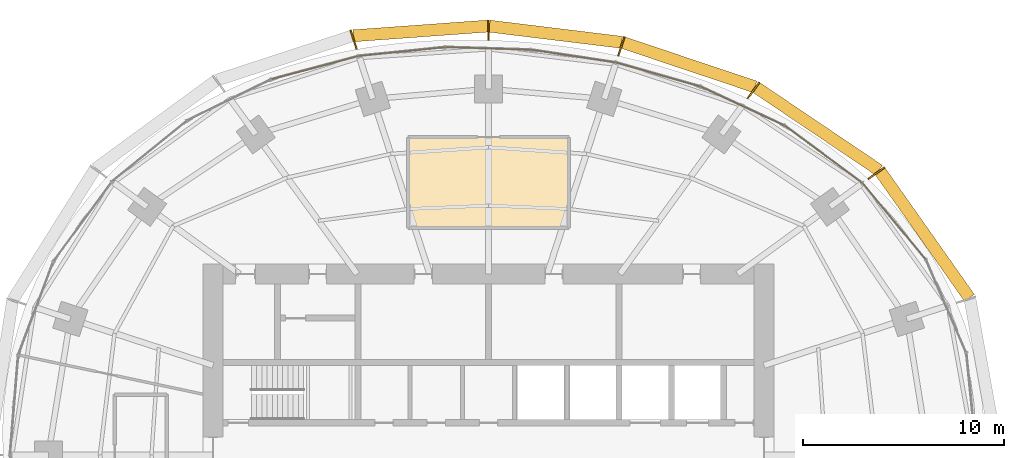
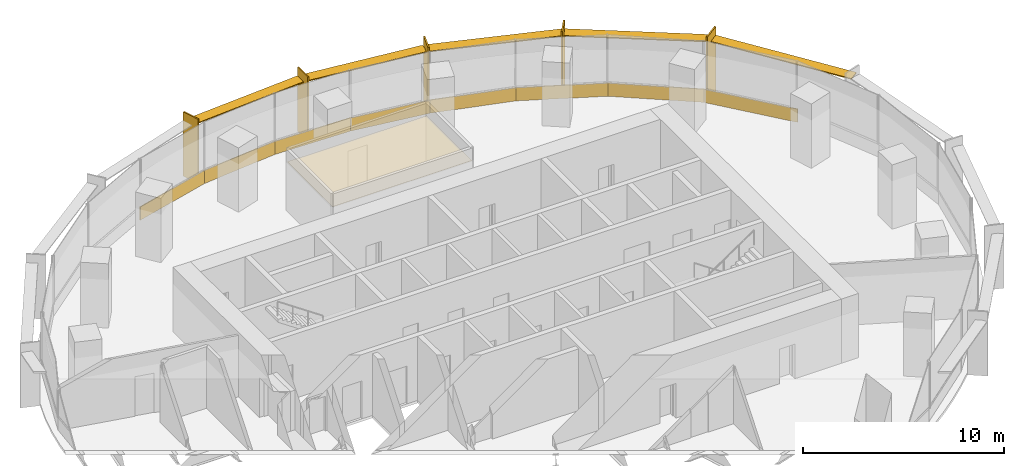
# One storey, part 14 of 14: 10 shading devices, 9 coverings.
"""IFC4 building model written with IfcOpenShell, lengths in metres."""

from ifc_helpers import new_model, si_unit, direction, frame, origin, origin_2d, place, context, subcontext, project, spatial, polyline, rectangle, outline, extrude, material, layer, layer_set, type_object, element, save


model = new_model("IFC4")

# Units and contexts
model_context = context("Model", 3, precision=1e-05, world=origin(), true_north=direction((0.0, 1.0)))
body_context = subcontext(model_context, "Body", "Model", "MODEL_VIEW")
ifc_project = project(units=[si_unit("LENGTHUNIT", "METRE"), si_unit("AREAUNIT", "SQUARE_METRE"), si_unit("VOLUMEUNIT", "CUBIC_METRE"), si_unit("PLANEANGLEUNIT", "RADIAN"), si_unit("MASSUNIT", "GRAM", prefix="KILO")], contexts=[model_context])

# Site, building, storey
site_placement = place(None, origin())
site = spatial("IfcSite", under=ifc_project, at=site_placement, CompositionType="ELEMENT")
building_placement = place(site_placement, origin())
building = spatial("IfcBuilding", under=site, at=building_placement, Name="Marramba Exchange Tower", CompositionType="ELEMENT")
storey_placement = place(building_placement, frame((0.0, 0.0, 222.800048828125)))
storey = spatial("IfcBuildingStorey", under=building, at=storey_placement, Name="L54", CompositionType="ELEMENT", Elevation=222.800048828125)

# Shading devices
ifc_material_1 = material(Name="Aluminium blade, timber-look bronze finish", Category="wood")
ifc_layer_1 = layer(ifc_material_1, 0.080078125)
ifc_layer_set_1 = layer_set([ifc_layer_1], Name="Floor-edge blade 1000x80")
shading_device_type_1 = type_object("IfcShadingDeviceType", Name="Floor-edge blade 1000x80", PredefinedType="USERDEFINED", material=ifc_layer_set_1)
for number, where, z_axis, x_axis, name in (
    (1, (19.298828125, 14.021484375, -0.159912109375), (0.0, 0.0, 1.0), (0.809016994375, 0.587785252292, 0.0), "Floor-edge blade FB1 L54 TC03"),
    (2, (13.176513671875, 18.135986328125, -0.159912109375), (0.0, 0.0, 1.0), (0.587785252292, 0.809016994375, 0.0), "Floor-edge blade FB1 L54 TC04"),
    (3, (6.605712890625, 20.330078125, -0.159912109375), (0.0, 0.0, 1.0), (0.309016994375, 0.951056516295, 0.0), "Floor-edge blade FB1 L54 TC05"),
    (4, (0.0, 21.13623046875, -0.159912109375), (0.0, 0.0, 1.0), (0.0, 1.0, 0.0), "Floor-edge blade FB1 L54 TC06"),
    (5, (-6.7119140625, 20.657470703125, -0.159912109375), (0.0, 0.0, 1.0), (-0.309016994375, 0.951056516295, 0.0), "Floor-edge blade FB1 L54 TC07"),
):
    element("IfcShadingDevice", number, at=place(storey_placement, frame(where, z_axis=z_axis, x_axis=x_axis)), inside=storey, type_object=shading_device_type_1, Name=name, ObjectType="FIN", PredefinedType="USERDEFINED", context=body_context, shape_type="SweptSolid", body=[
        extrude(rectangle(XDim=1.0, YDim=0.080078125, at=origin_2d()), origin(), (0.0, 0.0, 1.0), 3.89990234375),
    ])
ifc_material_2 = material(Name="Aluminium sunshade, bronze anodised", Category="aluminium")
ifc_layer_2 = layer(ifc_material_2, 0.06005859375)
ifc_layer_set_2 = layer_set([ifc_layer_2], Name="SUNSHADE blade 600x60")
shading_device_type_2 = type_object("IfcShadingDeviceType", Name="SUNSHADE blade 600x60", PredefinedType="USERDEFINED", material=ifc_layer_set_2)
shading_device_1_placement = place(storey_placement, frame((21.703857421875, 10.9599609375, 3.159912109375), z_axis=(0.0, 0.0, 1.0), x_axis=(-0.576555118613, 0.81705825692, 0.0)))
element("IfcShadingDevice", 6, at=shading_device_1_placement, inside=storey, type_object=shading_device_type_2, Name="Sunshade SS1 L54 bay 02", ObjectType="SUNSHADE", PredefinedType="USERDEFINED", context=body_context, shape_type="SweptSolid", body=[
    extrude(rectangle(XDim=7.70166015625, YDim=0.60009765625, at=origin_2d()), origin(), (0.0, 0.0, 1.0), 0.06005859375),
])
shading_device_2_placement = place(storey_placement, frame((16.37744140625, 16.218505859375, 3.159912109375), z_axis=(0.0, 0.0, 1.0), x_axis=(-0.829071447151, 0.559142679035, 0.0)))
element("IfcShadingDevice", 7, at=shading_device_2_placement, inside=storey, type_object=shading_device_type_2, Name="Sunshade SS1 L54 bay 03", ObjectType="SUNSHADE", PredefinedType="USERDEFINED", context=body_context, shape_type="SweptSolid", body=[
    extrude(rectangle(XDim=7.35791015625, YDim=0.60009765625, at=origin_2d()), origin(), (0.0, 0.0, 1.0), 0.06005859375),
])
shading_device_3_placement = place(storey_placement, frame((9.980712890625, 19.4091796875, 3.159912109375), z_axis=(0.0, 0.0, 1.0), x_axis=(-0.948096437223, 0.317982933073, 0.0)))
element("IfcShadingDevice", 8, at=shading_device_3_placement, inside=storey, type_object=shading_device_type_2, Name="Sunshade SS1 L54 bay 04", ObjectType="SUNSHADE", PredefinedType="USERDEFINED", context=body_context, shape_type="SweptSolid", body=[
    extrude(rectangle(XDim=6.909423828125, YDim=0.60009765625, at=origin_2d()), origin(), (0.0, 0.0, 1.0), 0.06005859375),
])
shading_device_4_placement = place(storey_placement, frame((3.333740234375, 20.92822265625, 3.159912109375), z_axis=(0.0, 0.0, 1.0), x_axis=(-0.992595256045, 0.121468751853, 0.0)))
element("IfcShadingDevice", 9, at=shading_device_4_placement, inside=storey, type_object=shading_device_type_2, Name="Sunshade SS1 L54 bay 05", ObjectType="SUNSHADE", PredefinedType="USERDEFINED", context=body_context, shape_type="SweptSolid", body=[
    extrude(rectangle(XDim=6.63720703125, YDim=0.60009765625, at=origin_2d()), origin(), (0.0, 0.0, 1.0), 0.06005859375),
])
shading_device_5_placement = place(storey_placement, frame((-3.386962890625, 21.092041015625, 3.159912109375), z_axis=(0.0, 0.0, 1.0), x_axis=(-0.997407641713, -0.071958295234, 0.0)))
element("IfcShadingDevice", 10, at=shading_device_5_placement, inside=storey, type_object=shading_device_type_2, Name="Sunshade SS1 L54 bay 06", ObjectType="SUNSHADE", PredefinedType="USERDEFINED", context=body_context, shape_type="SweptSolid", body=[
    extrude(rectangle(XDim=6.71142578125, YDim=0.60009765625, at=origin_2d()), origin(), (0.0, 0.0, 1.0), 0.06005859375),
])

# Coverings
ifc_material_3 = material(Name="Aluminium spandrel panel, bronze anodised, insulated", Category="aluminium")
ifc_layer_3 = layer(ifc_material_3, 0.050048828125)
ifc_layer_set_3 = layer_set([ifc_layer_3], Name="Spandrel panel 800")
covering_type_1 = type_object("IfcCoveringType", Name="Spandrel panel 800", PredefinedType="CLADDING", material=ifc_layer_set_3)
covering_1_placement = place(storey_placement, frame((20.193603515625, 11.608642578125, 0.0), z_axis=(0.0, 0.0, 1.0), x_axis=(-0.637350224586, 0.770574260678, 0.0)))
element("IfcCovering", 11, at=covering_1_placement, inside=storey, type_object=covering_type_1, Name="Spandrel panel SP1 L54 F03", PredefinedType="CLADDING", context=body_context, shape_type="SweptSolid", body=[
    extrude(rectangle(XDim=4.9658203125, YDim=0.050048828125, at=origin_2d()), origin(), (0.0, 0.0, 1.0), 0.800048828125),
])
covering_2_placement = place(storey_placement, frame((16.677001953125, 14.94775390625, 0.0), z_axis=(0.0, 0.0, 1.0), x_axis=(-0.804877256733, 0.593441321104, 0.0)))
element("IfcCovering", 12, at=covering_2_placement, inside=storey, type_object=covering_type_1, Name="Spandrel panel SP1 L54 F04", PredefinedType="CLADDING", context=body_context, shape_type="SweptSolid", body=[
    extrude(rectangle(XDim=4.805908203125, YDim=0.050048828125, at=origin_2d()), origin(), (0.0, 0.0, 1.0), 0.800048828125),
])
covering_3_placement = place(storey_placement, frame((12.65869140625, 17.344482421875, 0.0), z_axis=(0.0, 0.0, 1.0), x_axis=(-0.906533903661, 0.422133014005, 0.0)))
element("IfcCovering", 13, at=covering_3_placement, inside=storey, type_object=covering_type_1, Name="Spandrel panel SP1 L54 F05", PredefinedType="CLADDING", context=body_context, shape_type="SweptSolid", body=[
    extrude(rectangle(XDim=4.5986328125, YDim=0.050048828125, at=origin_2d()), origin(), (0.0, 0.0, 1.0), 0.800048828125),
])
covering_4_placement = place(storey_placement, frame((8.45849609375, 18.91845703125, 0.0), z_axis=(0.0, 0.0, 1.0), x_axis=(-0.961658952783, 0.274248169607, 0.0)))
element("IfcCovering", 14, at=covering_4_placement, inside=storey, type_object=covering_type_1, Name="Spandrel panel SP1 L54 F06", PredefinedType="CLADDING", context=body_context, shape_type="SweptSolid", body=[
    extrude(rectangle(XDim=4.39990234375, YDim=0.050048828125, at=origin_2d()), origin(), (0.0, 0.0, 1.0), 0.800048828125),
])
covering_5_placement = place(storey_placement, frame((4.230712890625, 19.839599609375, 0.0), z_axis=(0.0, 0.0, 1.0), x_axis=(-0.988868065308, 0.148794991224, 0.0)))
element("IfcCovering", 15, at=covering_5_placement, inside=storey, type_object=covering_type_1, Name="Spandrel panel SP1 L54 F07", PredefinedType="CLADDING", context=body_context, shape_type="SweptSolid", body=[
    extrude(rectangle(XDim=4.27197265625, YDim=0.050048828125, at=origin_2d()), origin(), (0.0, 0.0, 1.0), 0.800048828125),
])
covering_6_placement = place(storey_placement, frame((-0.0068359375, 20.221923828125, 0.0), z_axis=(0.0, 0.0, 1.0), x_axis=(-0.999537999985, 0.030393857689, 0.0)))
element("IfcCovering", 16, at=covering_6_placement, inside=storey, type_object=covering_type_1, Name="Spandrel panel SP1 L54 F08", PredefinedType="CLADDING", context=body_context, shape_type="SweptSolid", body=[
    extrude(rectangle(XDim=4.252685546875, YDim=0.050048828125, at=origin_2d()), origin(), (0.0, 0.0, 1.0), 0.800048828125),
])
covering_7_placement = place(storey_placement, frame((-4.290771484375, 20.06787109375, 0.0), z_axis=(0.0, 0.0, 1.0), x_axis=(-0.994900357732, -0.10086266993, 0.0)))
element("IfcCovering", 17, at=covering_7_placement, inside=storey, type_object=covering_type_1, Name="Spandrel panel SP1 L54 F09", PredefinedType="CLADDING", context=body_context, shape_type="SweptSolid", body=[
    extrude(rectangle(XDim=4.33935546875, YDim=0.050048828125, at=origin_2d()), origin(), (0.0, 0.0, 1.0), 0.800048828125),
])
covering_8_placement = place(storey_placement, frame((-8.620361328125, 19.27001953125, 0.0), z_axis=(0.0, 0.0, 1.0), x_axis=(-0.966240651433, -0.257641230237, 0.0)))
element("IfcCovering", 18, at=covering_8_placement, inside=storey, type_object=covering_type_1, Name="Spandrel panel SP1 L54 F10", PredefinedType="CLADDING", context=body_context, shape_type="SweptSolid", body=[
    extrude(rectangle(XDim=4.49365234375, YDim=0.050048828125, at=origin_2d()), origin(), (0.0, 0.0, 1.0), 0.800048828125),
])
ifc_material_4 = material(Name="Mineral fibre ceiling tiles", Category="gypsum")
ifc_layer_4 = layer(ifc_material_4, 0.02001953125)
ifc_layer_set_4 = layer_set([ifc_layer_4], Name="Suspended ceiling 20")
covering_type_2 = type_object("IfcCoveringType", Name="Suspended ceiling 20", PredefinedType="CEILING", material=ifc_layer_set_4)
covering_9_placement = place(storey_placement, frame((0.0, 0.0, 2.89990234375)))
element("IfcCovering", 19, at=covering_9_placement, inside=storey, type_object=covering_type_2, Name="Ceiling CL1 L54 Meeting Room", PredefinedType="CEILING", context=body_context, shape_type="SweptSolid", body=[
    extrude(outline(polyline([(4.0, 11.300048828125), (-4.0, 11.300048828125), (-4.0, 15.800048828125), (4.0, 15.800048828125), (4.0, 11.300048828125)])), origin(), (0.0, 0.0, 1.0), 0.02001953125),
])

save(model, "model.ifc")
